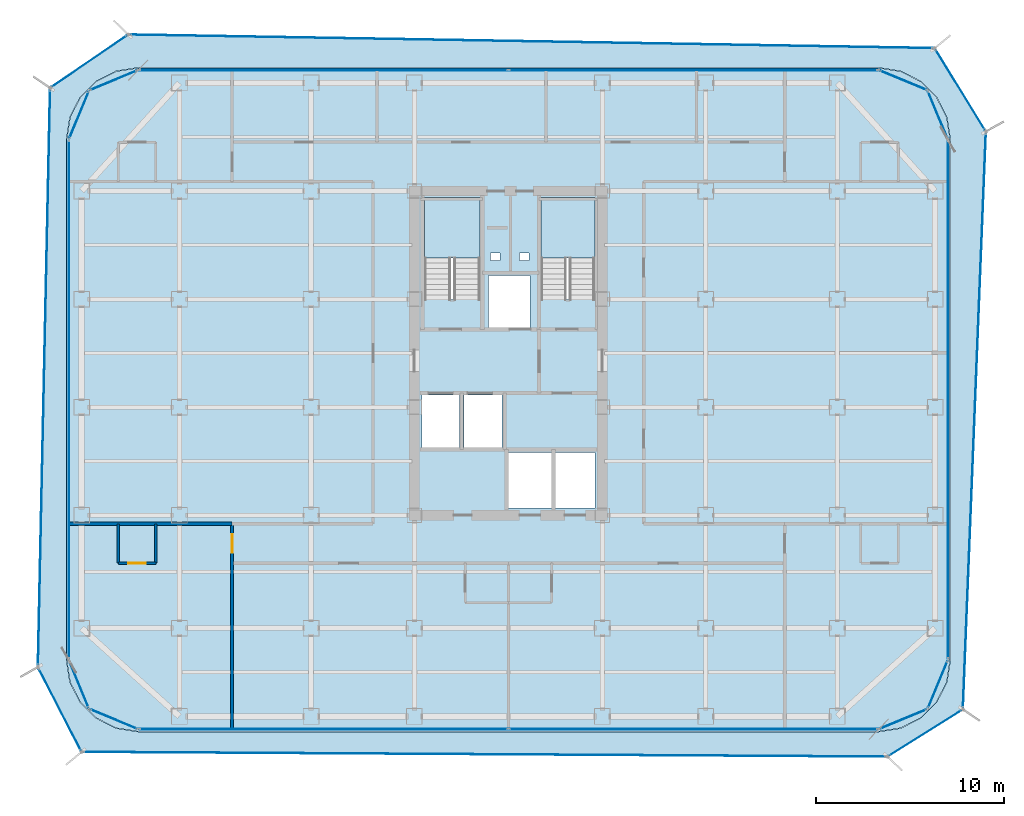
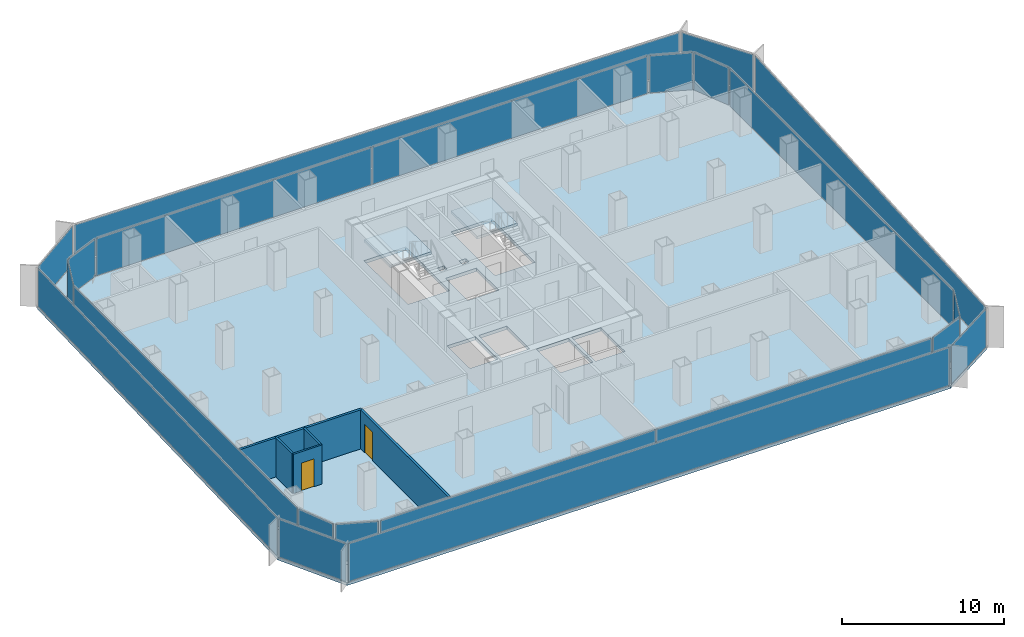
# One storey, part 15 of 21: 22 plates, 5 walls, 4 slabs, 2 doors, 2 openings, 22 elements without a shape of their own.
"""IFC4 building model written with IfcOpenShell, lengths in metres."""

from ifc_helpers import new_model, si_unit, direction, frame, frame_2d, origin, origin_2d, place, context, subcontext, project, spatial, polyline, rectangle, outline, extrude, source, transform, mapped, material, layer, layer_set, type_object, element, fill, aggregate, save


model = new_model("IFC4")

# Units and contexts
model_context = context("Model", 3, precision=1e-05, world=origin(), true_north=direction((0.0, 1.0)))
body_context = subcontext(model_context, "Body", "Model", "MODEL_VIEW")
ifc_project = project(units=[si_unit("LENGTHUNIT", "METRE"), si_unit("AREAUNIT", "SQUARE_METRE"), si_unit("VOLUMEUNIT", "CUBIC_METRE"), si_unit("PLANEANGLEUNIT", "RADIAN"), si_unit("MASSUNIT", "GRAM", prefix="KILO")], contexts=[model_context])

# Site, building, storey
site_placement = place(None, origin())
site = spatial("IfcSite", under=ifc_project, at=site_placement, CompositionType="ELEMENT")
building_placement = place(site_placement, origin())
building = spatial("IfcBuilding", under=site, at=building_placement, Name="Kolveth Station Tower", CompositionType="ELEMENT")
storey_placement = place(building_placement, frame((0.0, 0.0, 137.5)))
storey = spatial("IfcBuildingStorey", under=building, at=storey_placement, Name="L38", CompositionType="ELEMENT", Elevation=137.5)

# Slab
ifc_material_1 = material(Name="Concrete C40/50", Category="concrete")
ifc_layer_1 = layer(ifc_material_1, 0.25)
ifc_layer_set_1 = layer_set([ifc_layer_1], Name="Concrete C40/50")
slab_type_1 = type_object("IfcSlabType", Name="Slab_SF-250", PredefinedType="FLOOR", material=ifc_layer_set_1)
slab_1_placement = place(storey_placement, frame((0.0, 0.0, -0.25)))
element("IfcSlab", 1, at=slab_1_placement, inside=storey, type_object=slab_type_1, Name="L38 Tower Structural Floor Slab", PredefinedType="FLOOR", context=body_context, shape_type="SweptSolid", body=[
    extrude(outline(polyline([(43.199951171875, 0.0), (44.374267578125, 0.18603515625), (45.43359375, 0.7255859375), (46.2744140625, 1.56640625), (46.81396484375, 2.625732421875), (47.0, 3.800048828125), (47.0, 31.5), (46.81396484375, 32.67431640625), (46.2744140625, 33.733642578125), (45.43359375, 34.57421875), (44.374267578125, 35.114013671875), (43.199951171875, 35.300048828125), (3.800048828125, 35.300048828125), (2.625732421875, 35.114013671875), (1.56640625, 34.57421875), (0.7255859375, 33.733642578125), (0.18603515625, 32.67431640625), (0.0, 31.5), (0.0, 3.800048828125), (0.18603515625, 2.625732421875), (0.7255859375, 1.56640625), (1.56640625, 0.7255859375), (2.625732421875, 0.18603515625), (3.800048828125, 0.0), (43.199951171875, 0.0)]), holes=[polyline([(19.0400390625, 22.985107421875), (22.0, 22.985107421875), (22.0, 28.39990234375), (19.0400390625, 28.39990234375), (19.0400390625, 22.985107421875)]), polyline([(25.239990234375, 22.985107421875), (28.10009765625, 22.985107421875), (28.10009765625, 28.39990234375), (25.239990234375, 28.39990234375), (25.239990234375, 22.985107421875)]), polyline([(18.89990234375, 15.10009765625), (20.89990234375, 15.10009765625), (20.89990234375, 17.89990234375), (18.89990234375, 17.89990234375), (18.89990234375, 15.10009765625)]), polyline([(21.14990234375, 15.10009765625), (23.14990234375, 15.10009765625), (23.14990234375, 17.89990234375), (21.14990234375, 17.89990234375), (21.14990234375, 15.10009765625)]), polyline([(22.449951171875, 21.5), (24.64990234375, 21.5), (24.64990234375, 24.25), (22.449951171875, 24.25), (22.449951171875, 21.5)]), polyline([(23.5, 11.89990234375), (25.800048828125, 11.89990234375), (25.800048828125, 14.85009765625), (23.5, 14.85009765625), (23.5, 11.89990234375)]), polyline([(26.0, 11.89990234375), (28.10009765625, 11.89990234375), (28.10009765625, 14.85009765625), (26.0, 14.85009765625), (26.0, 11.89990234375)]), polyline([(22.550048828125, 25.050048828125), (23.050048828125, 25.050048828125), (23.050048828125, 25.449951171875), (22.550048828125, 25.449951171875), (22.550048828125, 25.050048828125)]), polyline([(24.10009765625, 25.050048828125), (24.60009765625, 25.050048828125), (24.60009765625, 25.449951171875), (24.10009765625, 25.449951171875), (24.10009765625, 25.050048828125)])]), origin(), (0.0, 0.0, 1.0), 0.25),
])

# Stair, slab
stair_type_1 = type_object("IfcStairType", Name="Stair_ST2", PredefinedType="HALF_TURN_STAIR", material=ifc_material_1)
stair_1_placement = place(storey_placement, origin())
stair_1 = element("IfcStair", 2, at=stair_1_placement, inside=storey, type_object=stair_type_1, Name="L38 Tower Exit Stair ST2", PredefinedType="HALF_TURN_STAIR")
ifc_layer_2 = layer(ifc_material_1, 0.18994140625)
ifc_layer_set_2 = layer_set([ifc_layer_2], Name="Concrete C40/50")
slab_type_2 = type_object("IfcSlabType", Name="Slab_SL-190", PredefinedType="LANDING", material=ifc_layer_set_2)
slab_2_placement = place(storey_placement, frame((0.0, 0.0, 1.39990234375)))
slab_2 = element("IfcSlab", 3, at=slab_2_placement, type_object=slab_type_2, Name="ST2 landing 1", PredefinedType="LANDING", context=body_context, shape_type="SweptSolid", body=[
    extrude(outline(polyline([(28.10009765625, 25.18994140625), (28.10009765625, 28.39990234375), (25.239990234375, 28.39990234375), (25.239990234375, 25.18994140625), (28.10009765625, 25.18994140625)])), origin(), (0.0, 0.0, 1.0), 0.2001953125),
])
aggregate(stair_1, [slab_2])

stair_type_2 = type_object("IfcStairType", Name="Stair_ST1", PredefinedType="HALF_TURN_STAIR", material=ifc_material_1)
stair_2_placement = place(storey_placement, origin())
stair_2 = element("IfcStair", 4, at=stair_2_placement, inside=storey, type_object=stair_type_2, Name="L38 Tower Exit Stair ST1", PredefinedType="HALF_TURN_STAIR")
ifc_layer_3 = layer(ifc_material_1, 0.205078125)
ifc_layer_set_3 = layer_set([ifc_layer_3], Name="Concrete C40/50")
slab_type_3 = type_object("IfcSlabType", Name="Slab_SL-205", PredefinedType="LANDING", material=ifc_layer_set_3)
slab_3_placement = place(storey_placement, frame((0.0, 0.0, 1.39990234375)))
slab_3 = element("IfcSlab", 5, at=slab_3_placement, type_object=slab_type_3, Name="ST1 landing 1", PredefinedType="LANDING", context=body_context, shape_type="SweptSolid", body=[
    extrude(outline(polyline([(22.0, 25.18994140625), (22.0, 28.39990234375), (19.0400390625, 28.39990234375), (19.0400390625, 25.18994140625), (22.0, 25.18994140625)])), origin(), (0.0, 0.0, 1.0), 0.2001953125),
])
aggregate(stair_2, [slab_3])

# Slab
ifc_layer_4 = layer(ifc_material_1, 0.2099609375)
ifc_layer_set_4 = layer_set([ifc_layer_4], Name="Concrete C40/50")
slab_type_4 = type_object("IfcSlabType", Name="Slab_ST-210", PredefinedType="FLOOR", material=ifc_layer_set_4)
slab_4_placement = place(storey_placement, frame((0.0, 0.0, -0.2099609375)))
element("IfcSlab", 6, at=slab_4_placement, inside=storey, type_object=slab_type_4, Name="L38 Double-Skin Cavity Structural Ledger Ring", PredefinedType="FLOOR", context=body_context, shape_type="SweptSolid", body=[
    extrude(outline(polyline([(0.7958984375, -1.088623046875), (-1.52490234375, 3.428466796875), (-0.876220703125, 34.23828125), (3.283203125, 37.072021484375), (46.181884765625, 36.349609375), (48.905517578125, 31.919677734375), (47.681396484375, 1.174072265625), (43.66357421875, -1.341552734375), (0.7958984375, -1.088623046875)]), holes=[polyline([(43.202392578125, -0.014892578125), (44.376708984375, 0.171142578125), (44.381103515625, 0.172607421875), (45.4404296875, 0.71240234375), (45.444091796875, 0.715087890625), (46.284912109375, 1.555908203125), (46.28759765625, 1.5595703125), (46.827392578125, 2.618896484375), (46.828857421875, 2.623291015625), (47.014892578125, 3.797607421875), (47.014892578125, 3.800048828125), (47.014892578125, 31.5), (47.014892578125, 31.502197265625), (46.828857421875, 32.676513671875), (46.827392578125, 32.68115234375), (46.28759765625, 33.740478515625), (46.284912109375, 33.744140625), (45.444091796875, 34.5849609375), (45.4404296875, 34.587646484375), (44.381103515625, 35.12744140625), (44.376708984375, 35.12890625), (43.202392578125, 35.314697265625), (43.199951171875, 35.31494140625), (3.800048828125, 35.31494140625), (3.797607421875, 35.314697265625), (2.623291015625, 35.12890625), (2.618896484375, 35.12744140625), (1.5595703125, 34.587646484375), (1.555908203125, 34.5849609375), (0.715087890625, 33.744140625), (0.71240234375, 33.740478515625), (0.172607421875, 32.68115234375), (0.171142578125, 32.676513671875), (-0.014892578125, 31.502197265625), (-0.014892578125, 31.5), (-0.014892578125, 3.800048828125), (-0.014892578125, 3.797607421875), (0.171142578125, 2.623291015625), (0.172607421875, 2.618896484375), (0.71240234375, 1.5595703125), (0.715087890625, 1.555908203125), (1.555908203125, 0.715087890625), (1.5595703125, 0.71240234375), (2.618896484375, 0.172607421875), (2.623291015625, 0.171142578125), (3.797607421875, -0.014892578125), (3.800048828125, -0.014892578125), (43.199951171875, -0.014892578125), (43.202392578125, -0.014892578125)])]), origin(), (0.0, 0.0, 1.0), 0.2099609375),
])

# Curtain wall, plate
ifc_material_2 = material(Name="Aluminium 6063-T6 and low-E dark glass", Category="aluminium")
ifc_layer_5 = layer(ifc_material_2, 0.18994140625)
ifc_layer_set_5 = layer_set([ifc_layer_5], Name="Aluminium 6063-T6 and low-E dark glass")
curtain_wall_type_1 = type_object("IfcCurtainWallType", Name="CurtainWall_CW-Z2", PredefinedType="NOTDEFINED", material=ifc_layer_set_5)
curtain_wall_1_placement = place(storey_placement, origin())
curtain_wall_1 = element("IfcCurtainWall", 7, at=curtain_wall_1_placement, inside=storey, type_object=curtain_wall_type_1, Name="L38 Inner Thermal Curtain Wall 1", PredefinedType="NOTDEFINED")
ifc_material_3 = material(Name="Architectural low-E dark glass", Category="glass")
ifc_layer_6 = layer(ifc_material_3, 0.0380859375)
ifc_layer_set_6 = layer_set([ifc_layer_6], Name="Architectural low-E dark glass")
plate_type_1 = type_object("IfcPlateType", Name="Panel_GL2", PredefinedType="CURTAIN_PANEL", material=ifc_layer_set_6)
shared_shape_1 = source(origin(), body_context, "Body", "SweptSolid", [
    extrude(rectangle(XDim=2.670654296875, YDim=0.0380859375, at=origin_2d()), origin(), (0.0, 0.0, 1.0), 2.803955078125),
])
plate_1_placement = place(storey_placement, frame((44.501220703125, 0.658935546875, 0.0732421875), z_axis=(0.0, 0.0, 1.0), x_axis=(0.923887883787, 0.38266326998, 0.0)))
plate_1 = element("IfcPlate", 8, at=plate_1_placement, type_object=plate_type_1, Name="CW-Z2 panel 1.1", PredefinedType="CURTAIN_PANEL", context=body_context, shape_type="MappedRepresentation", body=[
    mapped(shared_shape_1, transform((0.0, 0.0, 0.0), x_axis=(1.0, 0.0, 0.0), y_axis=(0.0, 1.0, 0.0), z_axis=(0.0, 0.0, 1.0), scale=1.0)),
])
aggregate(curtain_wall_1, [plate_1])

curtain_wall_2_placement = place(storey_placement, origin())
curtain_wall_2 = element("IfcCurtainWall", 9, at=curtain_wall_2_placement, inside=storey, type_object=curtain_wall_type_1, Name="L38 Inner Thermal Curtain Wall 2", PredefinedType="NOTDEFINED")
plate_2_placement = place(storey_placement, frame((46.341064453125, 2.498779296875, 0.0732421875), z_axis=(0.0, 0.0, 1.0), x_axis=(0.38266326998, 0.923887883787, 0.0)))
plate_2 = element("IfcPlate", 10, at=plate_2_placement, type_object=plate_type_1, Name="CW-Z2 panel 1.1", PredefinedType="CURTAIN_PANEL", context=body_context, shape_type="MappedRepresentation", body=[
    mapped(shared_shape_1, transform((0.0, 0.0, 0.0), x_axis=(1.0, 0.0, 0.0), y_axis=(0.0, 1.0, 0.0), z_axis=(0.0, 0.0, 1.0), scale=1.0)),
])
aggregate(curtain_wall_2, [plate_2])

curtain_wall_3_placement = place(storey_placement, origin())
curtain_wall_3 = element("IfcCurtainWall", 11, at=curtain_wall_3_placement, inside=storey, type_object=curtain_wall_type_1, Name="L38 Inner Thermal Curtain Wall 4", PredefinedType="NOTDEFINED")
plate_3_placement = place(storey_placement, frame((46.341064453125, 32.801025390625, 0.0732421875), z_axis=(0.0, 0.0, 1.0), x_axis=(-0.38266326998, 0.923887883787, 0.0)))
plate_3 = element("IfcPlate", 12, at=plate_3_placement, type_object=plate_type_1, Name="CW-Z2 panel 1.1", PredefinedType="CURTAIN_PANEL", context=body_context, shape_type="MappedRepresentation", body=[
    mapped(shared_shape_1, transform((0.0, 0.0, 0.0), x_axis=(1.0, 0.0, 0.0), y_axis=(0.0, 1.0, 0.0), z_axis=(0.0, 0.0, 1.0), scale=1.0)),
])
aggregate(curtain_wall_3, [plate_3])

curtain_wall_4_placement = place(storey_placement, origin())
curtain_wall_4 = element("IfcCurtainWall", 13, at=curtain_wall_4_placement, inside=storey, type_object=curtain_wall_type_1, Name="L38 Inner Thermal Curtain Wall 5", PredefinedType="NOTDEFINED")
plate_4_placement = place(storey_placement, frame((44.501220703125, 34.64111328125, 0.0732421875), z_axis=(0.0, 0.0, 1.0), x_axis=(-0.923887883787, 0.38266326998, 0.0)))
plate_4 = element("IfcPlate", 14, at=plate_4_placement, type_object=plate_type_1, Name="CW-Z2 panel 1.1", PredefinedType="CURTAIN_PANEL", context=body_context, shape_type="MappedRepresentation", body=[
    mapped(shared_shape_1, transform((0.0, 0.0, 0.0), x_axis=(1.0, 0.0, 0.0), y_axis=(0.0, 1.0, 0.0), z_axis=(0.0, 0.0, 1.0), scale=1.0)),
])
aggregate(curtain_wall_4, [plate_4])

curtain_wall_5_placement = place(storey_placement, origin())
curtain_wall_5 = element("IfcCurtainWall", 15, at=curtain_wall_5_placement, inside=storey, type_object=curtain_wall_type_1, Name="L38 Inner Thermal Curtain Wall 7", PredefinedType="NOTDEFINED")
plate_5_placement = place(storey_placement, frame((2.498779296875, 34.64111328125, 0.0732421875), z_axis=(0.0, 0.0, 1.0), x_axis=(-0.923887883787, -0.38266326998, 0.0)))
plate_5 = element("IfcPlate", 16, at=plate_5_placement, type_object=plate_type_1, Name="CW-Z2 panel 1.1", PredefinedType="CURTAIN_PANEL", context=body_context, shape_type="MappedRepresentation", body=[
    mapped(shared_shape_1, transform((0.0, 0.0, 0.0), x_axis=(1.0, 0.0, 0.0), y_axis=(0.0, 1.0, 0.0), z_axis=(0.0, 0.0, 1.0), scale=1.0)),
])
aggregate(curtain_wall_5, [plate_5])

curtain_wall_6_placement = place(storey_placement, origin())
curtain_wall_6 = element("IfcCurtainWall", 17, at=curtain_wall_6_placement, inside=storey, type_object=curtain_wall_type_1, Name="L38 Inner Thermal Curtain Wall 8", PredefinedType="NOTDEFINED")
plate_6_placement = place(storey_placement, frame((0.658935546875, 32.801025390625, 0.0732421875), z_axis=(0.0, 0.0, 1.0), x_axis=(-0.38266326998, -0.923887883787, 0.0)))
plate_6 = element("IfcPlate", 18, at=plate_6_placement, type_object=plate_type_1, Name="CW-Z2 panel 1.1", PredefinedType="CURTAIN_PANEL", context=body_context, shape_type="MappedRepresentation", body=[
    mapped(shared_shape_1, transform((0.0, 0.0, 0.0), x_axis=(1.0, 0.0, 0.0), y_axis=(0.0, 1.0, 0.0), z_axis=(0.0, 0.0, 1.0), scale=1.0)),
])
aggregate(curtain_wall_6, [plate_6])

curtain_wall_7_placement = place(storey_placement, origin())
curtain_wall_7 = element("IfcCurtainWall", 19, at=curtain_wall_7_placement, inside=storey, type_object=curtain_wall_type_1, Name="L38 Inner Thermal Curtain Wall 10", PredefinedType="NOTDEFINED")
plate_7_placement = place(storey_placement, frame((0.658935546875, 2.498779296875, 0.0732421875), z_axis=(0.0, 0.0, 1.0), x_axis=(0.38266326998, -0.923887883787, 0.0)))
plate_7 = element("IfcPlate", 20, at=plate_7_placement, type_object=plate_type_1, Name="CW-Z2 panel 1.1", PredefinedType="CURTAIN_PANEL", context=body_context, shape_type="MappedRepresentation", body=[
    mapped(shared_shape_1, transform((0.0, 0.0, 0.0), x_axis=(1.0, 0.0, 0.0), y_axis=(0.0, 1.0, 0.0), z_axis=(0.0, 0.0, 1.0), scale=1.0)),
])
aggregate(curtain_wall_7, [plate_7])

curtain_wall_8_placement = place(storey_placement, origin())
curtain_wall_8 = element("IfcCurtainWall", 21, at=curtain_wall_8_placement, inside=storey, type_object=curtain_wall_type_1, Name="L38 Inner Thermal Curtain Wall 11", PredefinedType="NOTDEFINED")
plate_8_placement = place(storey_placement, frame((2.498779296875, 0.658935546875, 0.0732421875), z_axis=(0.0, 0.0, 1.0), x_axis=(0.923887883787, -0.38266326998, 0.0)))
plate_8 = element("IfcPlate", 22, at=plate_8_placement, type_object=plate_type_1, Name="CW-Z2 panel 1.1", PredefinedType="CURTAIN_PANEL", context=body_context, shape_type="MappedRepresentation", body=[
    mapped(shared_shape_1, transform((0.0, 0.0, 0.0), x_axis=(1.0, 0.0, 0.0), y_axis=(0.0, 1.0, 0.0), z_axis=(0.0, 0.0, 1.0), scale=1.0)),
])
aggregate(curtain_wall_8, [plate_8])

curtain_wall_9_placement = place(storey_placement, origin())
curtain_wall_9 = element("IfcCurtainWall", 23, at=curtain_wall_9_placement, inside=storey, type_object=curtain_wall_type_1, Name="L38 Inner Thermal Curtain Wall 3", PredefinedType="NOTDEFINED")
shared_shape_2 = source(origin(), body_context, "Body", "SweptSolid", [
    extrude(rectangle(XDim=27.553955078125, YDim=0.0380859375, at=origin_2d()), origin(), (0.0, 0.0, 1.0), 2.803955078125),
])
plate_9_placement = place(storey_placement, frame((46.8798828125, 17.64990234375, 0.0732421875), z_axis=(0.0, 0.0, 1.0), x_axis=(0.0, 1.0, 0.0)))
plate_9 = element("IfcPlate", 24, at=plate_9_placement, type_object=plate_type_1, Name="CW-Z2 panel 1.1", PredefinedType="CURTAIN_PANEL", context=body_context, shape_type="MappedRepresentation", body=[
    mapped(shared_shape_2, transform((0.0, 0.0, 0.0), x_axis=(1.0, 0.0, 0.0), y_axis=(0.0, 1.0, 0.0), z_axis=(0.0, 0.0, 1.0), scale=1.0)),
])
aggregate(curtain_wall_9, [plate_9])

curtain_wall_10_placement = place(storey_placement, origin())
curtain_wall_10 = element("IfcCurtainWall", 25, at=curtain_wall_10_placement, inside=storey, type_object=curtain_wall_type_1, Name="L38 Inner Thermal Curtain Wall 9", PredefinedType="NOTDEFINED")
plate_10_placement = place(storey_placement, frame((0.1201171875, 17.64990234375, 0.0732421875), z_axis=(0.0, 0.0, 1.0), x_axis=(0.0, -1.0, 0.0)))
plate_10 = element("IfcPlate", 26, at=plate_10_placement, type_object=plate_type_1, Name="CW-Z2 panel 1.1", PredefinedType="CURTAIN_PANEL", context=body_context, shape_type="MappedRepresentation", body=[
    mapped(shared_shape_2, transform((0.0, 0.0, 0.0), x_axis=(1.0, 0.0, 0.0), y_axis=(0.0, 1.0, 0.0), z_axis=(0.0, 0.0, 1.0), scale=1.0)),
])
aggregate(curtain_wall_10, [plate_10])

# Curtain wall, plates
curtain_wall_11_placement = place(storey_placement, origin())
curtain_wall_11 = element("IfcCurtainWall", 27, at=curtain_wall_11_placement, inside=storey, type_object=curtain_wall_type_1, Name="L38 Inner Thermal Curtain Wall 6", PredefinedType="NOTDEFINED")
shared_shape_3 = source(origin(), body_context, "Body", "SweptSolid", [
    extrude(rectangle(XDim=19.593994140625, YDim=0.0380859375, at=origin_2d()), origin(), (0.0, 0.0, 1.0), 2.803955078125),
])
plate_11_placement = place(storey_placement, frame((33.330078125, 35.179931640625, 0.0732421875), z_axis=(0.0, 0.0, 1.0), x_axis=(-1.0, 0.0, 0.0)))
plate_11 = element("IfcPlate", 28, at=plate_11_placement, type_object=plate_type_1, Name="CW-Z2 panel 1.1", PredefinedType="CURTAIN_PANEL", context=body_context, shape_type="MappedRepresentation", body=[
    mapped(shared_shape_3, transform((0.0, 0.0, 0.0), x_axis=(1.0, 0.0, 0.0), y_axis=(0.0, 1.0, 0.0), z_axis=(0.0, 0.0, 1.0), scale=1.0)),
])
plate_12_placement = place(storey_placement, frame((13.669921875, 35.179931640625, 0.0732421875), z_axis=(0.0, 0.0, 1.0), x_axis=(-1.0, 0.0, 0.0)))
plate_12 = element("IfcPlate", 29, at=plate_12_placement, type_object=plate_type_1, Name="CW-Z2 panel 2.1", PredefinedType="CURTAIN_PANEL", context=body_context, shape_type="MappedRepresentation", body=[
    mapped(shared_shape_3, transform((0.0, 0.0, 0.0), x_axis=(1.0, 0.0, 0.0), y_axis=(0.0, 1.0, 0.0), z_axis=(0.0, 0.0, 1.0), scale=1.0)),
])
aggregate(curtain_wall_11, [plate_11, plate_12])

curtain_wall_12_placement = place(storey_placement, origin())
curtain_wall_12 = element("IfcCurtainWall", 30, at=curtain_wall_12_placement, inside=storey, type_object=curtain_wall_type_1, Name="L38 Inner Thermal Curtain Wall 12", PredefinedType="NOTDEFINED")
plate_13_placement = place(storey_placement, frame((13.669921875, 0.1201171875, 0.0732421875), z_axis=(0.0, 0.0, 1.0), x_axis=(1.0, 0.0, 0.0)))
plate_13 = element("IfcPlate", 31, at=plate_13_placement, type_object=plate_type_1, Name="CW-Z2 panel 1.1", PredefinedType="CURTAIN_PANEL", context=body_context, shape_type="MappedRepresentation", body=[
    mapped(shared_shape_3, transform((0.0, 0.0, 0.0), x_axis=(1.0, 0.0, 0.0), y_axis=(0.0, 1.0, 0.0), z_axis=(0.0, 0.0, 1.0), scale=1.0)),
])
plate_14_placement = place(storey_placement, frame((33.330078125, 0.1201171875, 0.0732421875), z_axis=(0.0, 0.0, 1.0), x_axis=(1.0, 0.0, 0.0)))
plate_14 = element("IfcPlate", 32, at=plate_14_placement, type_object=plate_type_1, Name="CW-Z2 panel 2.1", PredefinedType="CURTAIN_PANEL", context=body_context, shape_type="MappedRepresentation", body=[
    mapped(shared_shape_3, transform((0.0, 0.0, 0.0), x_axis=(1.0, 0.0, 0.0), y_axis=(0.0, 1.0, 0.0), z_axis=(0.0, 0.0, 1.0), scale=1.0)),
])
aggregate(curtain_wall_12, [plate_13, plate_14])

# Curtain wall, plate
ifc_material_4 = material(Name="Black anodized aluminium 6063-T6 and dark solar glass", Category="aluminium")
ifc_layer_7 = layer(ifc_material_4, 0.159912109375)
ifc_layer_set_7 = layer_set([ifc_layer_7], Name="Black anodized aluminium 6063-T6 and dark solar glass")
curtain_wall_type_2 = type_object("IfcCurtainWallType", Name="OUTER SKIN CW-OS", PredefinedType="NOTDEFINED", material=ifc_layer_set_7)
curtain_wall_13_placement = place(storey_placement, origin())
curtain_wall_13 = element("IfcCurtainWall", 33, at=curtain_wall_13_placement, inside=storey, type_object=curtain_wall_type_2, Name="L38 Outer Ventilated Skin Curtain Wall 1", PredefinedType="NOTDEFINED")
ifc_layer_8 = layer(ifc_material_3, 0.028076171875)
ifc_layer_set_8 = layer_set([ifc_layer_8], Name="Architectural low-E dark glass")
plate_type_2 = type_object("IfcPlateType", Name="Panel_GL-OS", PredefinedType="CURTAIN_PANEL", material=ifc_layer_set_8)
shared_shape_4 = source(origin(), body_context, "Body", "SweptSolid", [
    extrude(rectangle(XDim=4.574462890625, YDim=0.028076171875, at=origin_2d()), origin(), (0.0, 0.0, 1.0), 2.843994140625),
])
plate_15_placement = place(storey_placement, frame((45.672607421875, -0.083740234375, 0.0732421875), z_axis=(0.0, 0.0, 1.0), x_axis=(0.847573752627, 0.530677617634, 0.0)))
plate_15 = element("IfcPlate", 34, at=plate_15_placement, type_object=plate_type_2, Name="CW-OS panel 1.1", PredefinedType="CURTAIN_PANEL", context=body_context, shape_type="MappedRepresentation", body=[
    mapped(shared_shape_4, transform((0.0, 0.0, 0.0), x_axis=(1.0, 0.0, 0.0), y_axis=(0.0, 1.0, 0.0), z_axis=(0.0, 0.0, 1.0), scale=1.0)),
])
aggregate(curtain_wall_13, [plate_15])

curtain_wall_14_placement = place(storey_placement, origin())
curtain_wall_14 = element("IfcCurtainWall", 35, at=curtain_wall_14_placement, inside=storey, type_object=curtain_wall_type_2, Name="L38 Outer Ventilated Skin Curtain Wall 2", PredefinedType="NOTDEFINED")
shared_shape_5 = source(origin(), body_context, "Body", "SweptSolid", [
    extrude(rectangle(XDim=30.60400390625, YDim=0.028076171875, at=origin_2d()), origin(), (0.0, 0.0, 1.0), 2.843994140625),
])
plate_16_placement = place(storey_placement, frame((48.29345703125, 16.546875, 0.0732421875), z_axis=(0.0, 0.0, 1.0), x_axis=(0.039782309217, 0.999208370598, 0.0)))
plate_16 = element("IfcPlate", 36, at=plate_16_placement, type_object=plate_type_2, Name="CW-OS panel 1.1", PredefinedType="CURTAIN_PANEL", context=body_context, shape_type="MappedRepresentation", body=[
    mapped(shared_shape_5, transform((0.0, 0.0, 0.0), x_axis=(1.0, 0.0, 0.0), y_axis=(0.0, 1.0, 0.0), z_axis=(0.0, 0.0, 1.0), scale=1.0)),
])
aggregate(curtain_wall_14, [plate_16])

curtain_wall_15_placement = place(storey_placement, origin())
curtain_wall_15 = element("IfcCurtainWall", 37, at=curtain_wall_15_placement, inside=storey, type_object=curtain_wall_type_2, Name="L38 Outer Ventilated Skin Curtain Wall 3", PredefinedType="NOTDEFINED")
shared_shape_6 = source(origin(), body_context, "Body", "SweptSolid", [
    extrude(rectangle(XDim=5.034423828125, YDim=0.028076171875, at=origin_2d()), origin(), (0.0, 0.0, 1.0), 2.843994140625),
])
plate_17_placement = place(storey_placement, frame((47.543701171875, 34.134765625, 0.0732421875), z_axis=(0.0, 0.0, 1.0), x_axis=(-0.523732596233, 0.851882719418, 0.0)))
plate_17 = element("IfcPlate", 38, at=plate_17_placement, type_object=plate_type_2, Name="CW-OS panel 1.1", PredefinedType="CURTAIN_PANEL", context=body_context, shape_type="MappedRepresentation", body=[
    mapped(shared_shape_6, transform((0.0, 0.0, 0.0), x_axis=(1.0, 0.0, 0.0), y_axis=(0.0, 1.0, 0.0), z_axis=(0.0, 0.0, 1.0), scale=1.0)),
])
aggregate(curtain_wall_15, [plate_17])

curtain_wall_16_placement = place(storey_placement, origin())
curtain_wall_16 = element("IfcCurtainWall", 39, at=curtain_wall_16_placement, inside=storey, type_object=curtain_wall_type_2, Name="L38 Outer Ventilated Skin Curtain Wall 4", PredefinedType="NOTDEFINED")
shared_shape_7 = source(origin(), body_context, "Body", "SweptSolid", [
    extrude(rectangle(XDim=42.73876953125, YDim=0.028076171875, at=origin_2d()), origin(), (0.0, 0.0, 1.0), 2.843994140625),
])
plate_18_placement = place(storey_placement, frame((24.732666015625, 36.7109375, 0.0732421875), z_axis=(0.0, 0.0, 1.0), x_axis=(-0.999858242886, 0.016837283985, 0.0)))
plate_18 = element("IfcPlate", 40, at=plate_18_placement, type_object=plate_type_2, Name="CW-OS panel 1.1", PredefinedType="CURTAIN_PANEL", context=body_context, shape_type="MappedRepresentation", body=[
    mapped(shared_shape_7, transform((0.0, 0.0, 0.0), x_axis=(1.0, 0.0, 0.0), y_axis=(0.0, 1.0, 0.0), z_axis=(0.0, 0.0, 1.0), scale=1.0)),
])
aggregate(curtain_wall_16, [plate_18])

curtain_wall_17_placement = place(storey_placement, origin())
curtain_wall_17 = element("IfcCurtainWall", 41, at=curtain_wall_17_placement, inside=storey, type_object=curtain_wall_type_2, Name="L38 Outer Ventilated Skin Curtain Wall 5", PredefinedType="NOTDEFINED")
shared_shape_8 = source(origin(), body_context, "Body", "SweptSolid", [
    extrude(rectangle(XDim=4.8671875, YDim=0.028076171875, at=origin_2d()), origin(), (0.0, 0.0, 1.0), 2.843994140625),
])
plate_19_placement = place(storey_placement, frame((1.20361328125, 35.655029296875, 0.0732421875), z_axis=(0.0, 0.0, 1.0), x_axis=(-0.826417295191, -0.563058126848, 0.0)))
plate_19 = element("IfcPlate", 42, at=plate_19_placement, type_object=plate_type_2, Name="CW-OS panel 1.1", PredefinedType="CURTAIN_PANEL", context=body_context, shape_type="MappedRepresentation", body=[
    mapped(shared_shape_8, transform((0.0, 0.0, 0.0), x_axis=(1.0, 0.0, 0.0), y_axis=(0.0, 1.0, 0.0), z_axis=(0.0, 0.0, 1.0), scale=1.0)),
])
aggregate(curtain_wall_17, [plate_19])

curtain_wall_18_placement = place(storey_placement, origin())
curtain_wall_18 = element("IfcCurtainWall", 43, at=curtain_wall_18_placement, inside=storey, type_object=curtain_wall_type_2, Name="L38 Outer Ventilated Skin Curtain Wall 6", PredefinedType="NOTDEFINED")
shared_shape_9 = source(origin(), body_context, "Body", "SweptSolid", [
    extrude(rectangle(XDim=30.650634765625, YDim=0.028076171875, at=origin_2d()), origin(), (0.0, 0.0, 1.0), 2.843994140625),
])
plate_20_placement = place(storey_placement, frame((-1.20068359375, 18.833251953125, 0.0732421875), z_axis=(0.0, 0.0, 1.0), x_axis=(-0.021053567138, -0.999778349091, 0.0)))
plate_20 = element("IfcPlate", 44, at=plate_20_placement, type_object=plate_type_2, Name="CW-OS panel 1.1", PredefinedType="CURTAIN_PANEL", context=body_context, shape_type="MappedRepresentation", body=[
    mapped(shared_shape_9, transform((0.0, 0.0, 0.0), x_axis=(1.0, 0.0, 0.0), y_axis=(0.0, 1.0, 0.0), z_axis=(0.0, 0.0, 1.0), scale=1.0)),
])
aggregate(curtain_wall_18, [plate_20])

curtain_wall_19_placement = place(storey_placement, origin())
curtain_wall_19 = element("IfcCurtainWall", 45, at=curtain_wall_19_placement, inside=storey, type_object=curtain_wall_type_2, Name="L38 Outer Ventilated Skin Curtain Wall 7", PredefinedType="NOTDEFINED")
shared_shape_10 = source(origin(), body_context, "Body", "SweptSolid", [
    extrude(rectangle(XDim=4.912353515625, YDim=0.028076171875, at=origin_2d()), origin(), (0.0, 0.0, 1.0), 2.843994140625),
])
plate_21_placement = place(storey_placement, frame((-0.364501953125, 1.169921875, 0.0732421875), z_axis=(0.0, 0.0, 1.0), x_axis=(0.457000928949, -0.889466216863, 0.0)))
plate_21 = element("IfcPlate", 46, at=plate_21_placement, type_object=plate_type_2, Name="CW-OS panel 1.1", PredefinedType="CURTAIN_PANEL", context=body_context, shape_type="MappedRepresentation", body=[
    mapped(shared_shape_10, transform((0.0, 0.0, 0.0), x_axis=(1.0, 0.0, 0.0), y_axis=(0.0, 1.0, 0.0), z_axis=(0.0, 0.0, 1.0), scale=1.0)),
])
aggregate(curtain_wall_19, [plate_21])

curtain_wall_20_placement = place(storey_placement, origin())
curtain_wall_20 = element("IfcCurtainWall", 47, at=curtain_wall_20_placement, inside=storey, type_object=curtain_wall_type_2, Name="L38 Outer Ventilated Skin Curtain Wall 8", PredefinedType="NOTDEFINED")
shared_shape_11 = source(origin(), body_context, "Body", "SweptSolid", [
    extrude(rectangle(XDim=42.702392578125, YDim=0.028076171875, at=origin_2d()), origin(), (0.0, 0.0, 1.0), 2.843994140625),
])
plate_22_placement = place(storey_placement, frame((22.229736328125, -1.215087890625, 0.0732421875), z_axis=(0.0, 0.0, 1.0), x_axis=(0.999982584445, -0.005901762955, 0.0)))
plate_22 = element("IfcPlate", 48, at=plate_22_placement, type_object=plate_type_2, Name="CW-OS panel 1.1", PredefinedType="CURTAIN_PANEL", context=body_context, shape_type="MappedRepresentation", body=[
    mapped(shared_shape_11, transform((0.0, 0.0, 0.0), x_axis=(1.0, 0.0, 0.0), y_axis=(0.0, 1.0, 0.0), z_axis=(0.0, 0.0, 1.0), scale=1.0)),
])
aggregate(curtain_wall_20, [plate_22])

# Walls
ifc_material_5 = material(Name="Moisture-resistant gypsum partition")
ifc_layer_9 = layer(ifc_material_5, 0.135009765625)
ifc_layer_set_9 = layer_set([ifc_layer_9], Name="Moisture-resistant gypsum partition")
wall_type_1 = type_object("IfcWallType", Name="Wall_IW-135", PredefinedType="PARTITIONING", material=ifc_layer_set_9)
for number, where, z_axis, x_axis, name in (
    (49, (2.75, 8.949951171875, 0.0), (0.0, 0.0, 1.0), (0.0, 1.0, 0.0), "L38 Partition Wall WL-L38-WS1-BV1"),
    (50, (4.75, 8.949951171875, 0.0), (0.0, 0.0, 1.0), (0.0, 1.0, 0.0), "L38 Partition Wall WL-L38-WS1-BV2"),
):
    element("IfcWall", number, at=place(storey_placement, frame(where, z_axis=z_axis, x_axis=x_axis)), inside=storey, type_object=wall_type_1, Name=name, PredefinedType="PARTITIONING", context=body_context, shape_type="SweptSolid", body=[
        extrude(rectangle(XDim=2.10009765625, YDim=0.135009765625, at=frame_2d((1.050048828125, 0.0))), origin(), (0.0, 0.0, 1.0), 2.949951171875),
    ])

# Wall, opening, door
wall_1_placement = place(storey_placement, frame((2.75, 8.949951171875, 0.0), z_axis=(0.0, 0.0, 1.0), x_axis=(1.0, 0.0, 0.0)))
wall_1 = element("IfcWall", 51, at=wall_1_placement, inside=storey, type_object=wall_type_1, Name="L38 Partition Wall WL-L38-WS1-BH", PredefinedType="PARTITIONING", context=body_context, shape_type="SweptSolid", body=[
    extrude(rectangle(XDim=2.0, YDim=0.135009765625, at=frame_2d((1.0, 0.0))), origin(), (0.0, 0.0, 1.0), 2.949951171875),
])
opening_1_placement = place(wall_1_placement, frame((0.5400390625, 0.0, 0.0)))
opening_1 = element("IfcOpeningElement", 52, at=opening_1_placement, cuts=wall_1, Name="Opening ID2", PredefinedType="OPENING", context=body_context, shape_type="SweptSolid", body=[
    extrude(rectangle(XDim=0.919921875, YDim=2.10009765625, at=frame_2d((0.4599609375, 1.050048828125))), frame((0.0, 0.077392578125, 0.0), z_axis=(0.0, -1.0, 0.0), x_axis=(1.0, 0.0, 0.0)), (0.0, 0.0, 1.0), 0.155029296875),
])
ifc_material_6 = material(Name="Moisture-resistant hardwood leaf", Category="wood")
door_type_1 = type_object("IfcDoorType", Name="Door_ID2", OperationType="NOTDEFINED", PredefinedType="DOOR", material=ifc_material_6)
door_1_placement = place(opening_1_placement, origin())
door_1 = element("IfcDoor", 53, at=door_1_placement, inside=storey, type_object=door_type_1, Name="L38 Hotel Corner Suite WS1 En-Suite Door", OperationType="SINGLE_SWING_RIGHT", OverallHeight=2.10009765625, OverallWidth=0.919921875, PredefinedType="DOOR", context=body_context, shape_type="SweptSolid", body=[
    extrude(rectangle(XDim=0.919921875, YDim=2.10009765625, at=frame_2d((0.4599609375, 1.050048828125))), frame((0.0, 0.02490234375, 0.0), z_axis=(0.0, -1.0, 0.0), x_axis=(1.0, 0.0, 0.0)), (0.0, 0.0, 1.0), 0.050048828125),
])
fill(opening_1, door_1)

ifc_material_7 = material(Name="Acoustic double-stud gypsum partition")
ifc_layer_10 = layer(ifc_material_7, 0.1650390625)
ifc_layer_set_10 = layer_set([ifc_layer_10], Name="Acoustic double-stud gypsum partition")
wall_type_2 = type_object("IfcWallType", Name="Wall_IW-165", PredefinedType="PARTITIONING", material=ifc_layer_set_10)
wall_2_placement = place(storey_placement, frame((8.800048828125, 0.159912109375, 0.0), z_axis=(0.0, 0.0, 1.0), x_axis=(0.0, 1.0, 0.0)))
wall_2 = element("IfcWall", 54, at=wall_2_placement, inside=storey, type_object=wall_type_2, Name="L38 Partition Wall WL-L38-END-WS", PredefinedType="PARTITIONING", context=body_context, shape_type="SweptSolid", body=[
    extrude(rectangle(XDim=10.89013671875, YDim=0.1650390625, at=frame_2d((5.445068359375, 0.0))), origin(), (0.0, 0.0, 1.0), 2.949951171875),
])
opening_2_placement = place(wall_2_placement, frame((9.340087890625, 0.0, 0.0)))
opening_2 = element("IfcOpeningElement", 55, at=opening_2_placement, cuts=wall_2, Name="Opening FD3", PredefinedType="OPENING", context=body_context, shape_type="SweptSolid", body=[
    extrude(rectangle(XDim=1.0, YDim=2.14990234375, at=frame_2d((0.5, 1.074951171875))), frame((0.0, 0.092529296875, 0.0), z_axis=(0.0, -1.0, 0.0), x_axis=(1.0, 0.0, 0.0)), (0.0, 0.0, 1.0), 0.18505859375),
])
ifc_material_8 = material(Name="Fire-rated hardwood leaf and aluminium frame", Category="wood")
door_type_2 = type_object("IfcDoorType", Name="Door_FD3", OperationType="NOTDEFINED", PredefinedType="DOOR", material=ifc_material_8)
door_2_placement = place(opening_2_placement, origin())
door_2 = element("IfcDoor", 56, at=door_2_placement, inside=storey, type_object=door_type_2, Name="L38 Hotel Corner Suite WS1 Entrance Door", OperationType="SINGLE_SWING_LEFT", OverallHeight=2.14990234375, OverallWidth=1.0, PredefinedType="DOOR", context=body_context, shape_type="SweptSolid", body=[
    extrude(rectangle(XDim=1.0, YDim=2.14990234375, at=frame_2d((0.5, 1.074951171875))), frame((0.0, 0.02490234375, 0.0), z_axis=(0.0, -1.0, 0.0), x_axis=(1.0, 0.0, 0.0)), (0.0, 0.0, 1.0), 0.050048828125),
])
fill(opening_2, door_2)

# Wall
wall_3_placement = place(storey_placement, frame((0.159912109375, 11.050048828125, 0.0), z_axis=(0.0, 0.0, 1.0), x_axis=(1.0, 0.0, 0.0)))
element("IfcWall", 57, at=wall_3_placement, inside=storey, type_object=wall_type_2, Name="L38 Partition Wall WL-L38-WM1", PredefinedType="PARTITIONING", context=body_context, shape_type="SweptSolid", body=[
    extrude(rectangle(XDim=8.64013671875, YDim=0.1650390625, at=frame_2d((4.320068359375, 0.0))), origin(), (0.0, 0.0, 1.0), 2.949951171875),
])

save(model, "model.ifc")
